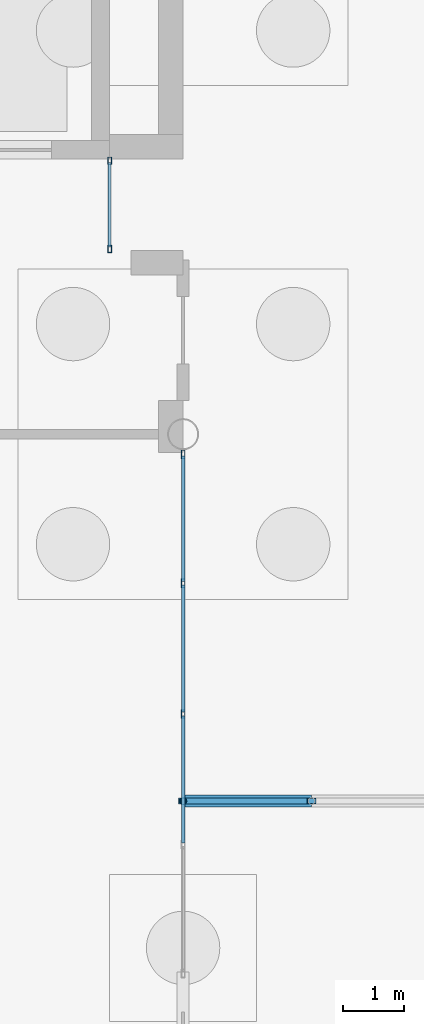
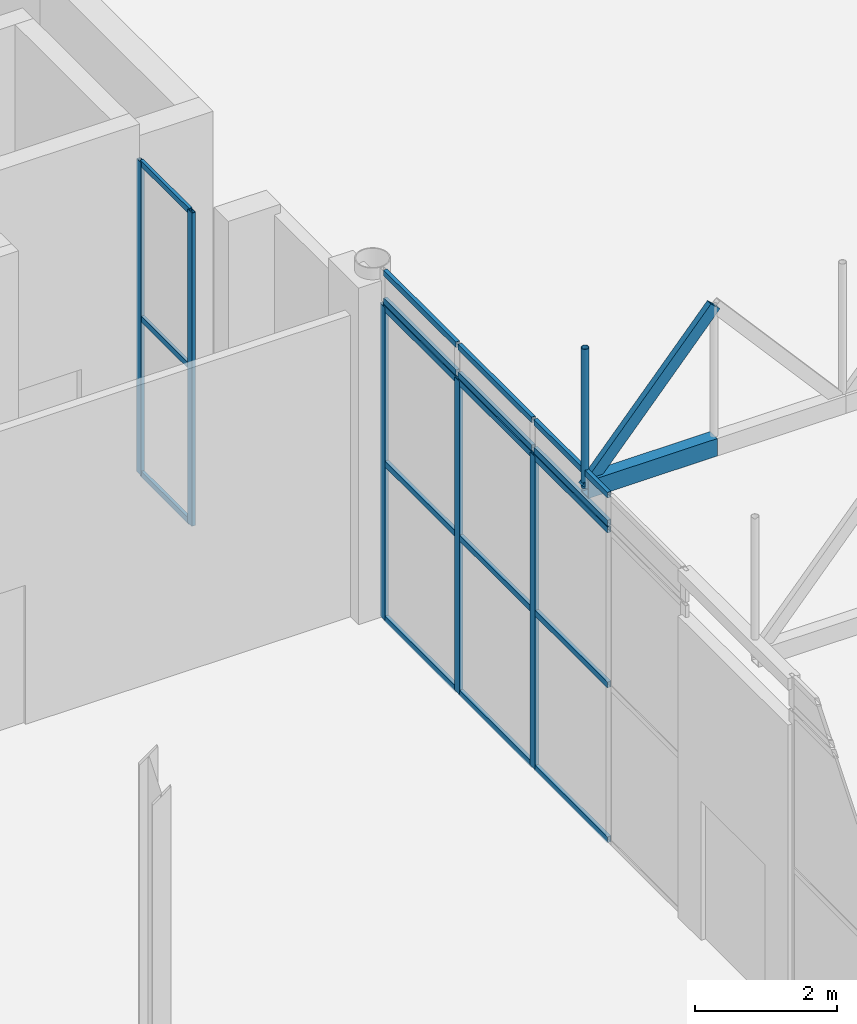
# One storey, part 122 of 212: 26 members, 3 elements without a shape of their own.
"""IFC4 building model written with IfcOpenShell, lengths in metres."""

from ifc_helpers import new_model, si_unit, direction, frame, origin, origin_2d, place, context, subcontext, project, spatial, hollow_rectangle, hollow_circle, extrude, material, material_profile, profile_set, type_object, element, aggregate, save


model = new_model("IFC4")

# Units and contexts
model_context = context("Model", 3, precision=1e-05, world=origin(), true_north=direction((0.0, 1.0)))
body_context = subcontext(model_context, "Body", "Model", "MODEL_VIEW")
ifc_project = project(units=[si_unit("LENGTHUNIT", "METRE"), si_unit("AREAUNIT", "SQUARE_METRE"), si_unit("VOLUMEUNIT", "CUBIC_METRE"), si_unit("PLANEANGLEUNIT", "RADIAN"), si_unit("MASSUNIT", "GRAM", prefix="KILO")], contexts=[model_context])

# Site, building, storey
site_placement = place(None, origin())
site = spatial("IfcSite", under=ifc_project, at=site_placement, CompositionType="ELEMENT")
building_placement = place(site_placement, origin())
building = spatial("IfcBuilding", under=site, at=building_placement, Name="Catenary Quay Ferry Terminal", CompositionType="ELEMENT")
storey_placement = place(building_placement, origin())
storey = spatial("IfcBuildingStorey", under=building, at=storey_placement, Name="L00", CompositionType="ELEMENT", Elevation=0.0)

# Members
ifc_material_1 = material(Name="Steel S355", Category="steel")
ifc_material_profile_1 = material_profile(ifc_material_1, hollow_rectangle(XDim=0.10009765625, YDim=0.199951171875, WallThickness=0.008056640625, at=origin_2d()), Name="RHS 200x100x8")
ifc_profile_set_1 = profile_set([ifc_material_profile_1], Name="Steel S355")
member_type_1 = type_object("IfcMemberType", Name="BR3 RHS 200x100x8", PredefinedType="BRACE", material=ifc_profile_set_1)
member_1_placement = place(storey_placement, frame((92.39990234375, 94.800048828125, 5.699951171875), z_axis=(0.65849918825, 0.0, 0.752581436839), x_axis=(0.0, 1.0, 0.0)))
element("IfcMember", 1, at=member_1_placement, inside=storey, type_object=member_type_1, Name="Bridge diagonal BB2N-D01", PredefinedType="BRACE", context=body_context, shape_type="SweptSolid", body=[
    extrude(hollow_rectangle(XDim=0.10009765625, YDim=0.199951171875, WallThickness=0.008056640625, at=origin_2d()), origin(), (0.0, 0.0, 1.0), 3.189208984375),
])
ifc_material_2 = material(Name="Steel S355", Category="steel")
ifc_material_profile_2 = material_profile(ifc_material_2, hollow_circle(Radius=0.05712890625, WallThickness=0.00634765625, at=origin_2d()), Name="CHS 114.3x6.3")
ifc_profile_set_2 = profile_set([ifc_material_profile_2], Name="Steel S355")
member_type_2 = type_object("IfcMemberType", Name="HG1 CHS 114.3x6.3", PredefinedType="POST", material=ifc_profile_set_2)
member_2_placement = place(storey_placement, frame((92.39990234375, 94.800048828125, 5.699951171875), z_axis=(0.0, 0.0, 1.0), x_axis=(1.0, 0.0, 0.0)))
element("IfcMember", 2, at=member_2_placement, inside=storey, type_object=member_type_2, Name="Bridge post BB2N-P01", PredefinedType="POST", context=body_context, shape_type="SweptSolid", body=[
    extrude(hollow_circle(Radius=0.05712890625, WallThickness=0.00634765625, at=origin_2d()), origin(), (0.0, 0.0, 1.0), 2.400146484375),
])

# Curtain wall, members
ifc_material_3 = material(Name="Aluminium and glass", Category="aluminium")
curtain_wall_type_1 = type_object("IfcCurtainWallType", Name="CWG", PredefinedType="NOTDEFINED", material=ifc_material_3)
curtain_wall_1_placement = place(storey_placement, origin())
curtain_wall_1 = element("IfcCurtainWall", 3, at=curtain_wall_1_placement, inside=storey, type_object=curtain_wall_type_1, Name="Gable arrivals hall curtain wall CW8", PredefinedType="NOTDEFINED")
ifc_material_4 = material(Name="Aluminium", Category="aluminium")
ifc_material_profile_3 = material_profile(ifc_material_4, hollow_rectangle(XDim=0.06005859375, YDim=0.139892578125, WallThickness=0.006103515625, at=origin_2d()), Name="MU2")
ifc_profile_set_3 = profile_set([ifc_material_profile_3], Name="Aluminium")
member_type_3 = type_object("IfcMemberType", Name="MU2", PredefinedType="MULLION", material=ifc_profile_set_3)
member_3_placement = place(storey_placement, frame((92.39990234375, 96.22509765625, 0.0), z_axis=(0.0, 0.0, 1.0), x_axis=(-1.0, 0.0, 0.0)))
member_3 = element("IfcMember", 4, at=member_3_placement, type_object=member_type_3, Name="CW8 mullion 3", PredefinedType="MULLION", context=body_context, shape_type="SweptSolid", body=[
    extrude(hollow_rectangle(XDim=0.06005859375, YDim=0.139892578125, WallThickness=0.006103515625, at=origin_2d()), origin(), (0.0, 0.0, 1.0), 5.39990234375),
])
member_4_placement = place(storey_placement, frame((92.39990234375, 98.362548828125, 0.0), z_axis=(0.0, 0.0, 1.0), x_axis=(-1.0, 0.0, 0.0)))
member_4 = element("IfcMember", 5, at=member_4_placement, type_object=member_type_3, Name="CW8 mullion 4", PredefinedType="MULLION", context=body_context, shape_type="SweptSolid", body=[
    extrude(hollow_rectangle(XDim=0.06005859375, YDim=0.139892578125, WallThickness=0.006103515625, at=origin_2d()), origin(), (0.0, 0.0, 1.0), 5.39990234375),
])
member_5_placement = place(storey_placement, frame((92.39990234375, 100.469970703125, 0.0), z_axis=(0.0, 0.0, 1.0), x_axis=(-1.0, 0.0, 0.0)))
member_5 = element("IfcMember", 6, at=member_5_placement, type_object=member_type_3, Name="CW8 mullion 5", PredefinedType="MULLION", context=body_context, shape_type="SweptSolid", body=[
    extrude(hollow_rectangle(XDim=0.06005859375, YDim=0.139892578125, WallThickness=0.006103515625, at=origin_2d()), origin(), (0.0, 0.0, 1.0), 5.39990234375),
])

ifc_material_5 = material(Name="Aluminium and glass", Category="aluminium")
curtain_wall_type_2 = type_object("IfcCurtainWallType", Name="CWT", PredefinedType="NOTDEFINED", material=ifc_material_5)
curtain_wall_2_placement = place(storey_placement, origin())
curtain_wall_2 = element("IfcCurtainWall", 7, at=curtain_wall_2_placement, inside=storey, type_object=curtain_wall_type_2, Name="Spine corridor curtain wall CW72", PredefinedType="NOTDEFINED")
ifc_material_6 = material(Name="Aluminium", Category="aluminium")
ifc_material_profile_4 = material_profile(ifc_material_6, hollow_rectangle(XDim=0.06005859375, YDim=0.1201171875, WallThickness=0.0048828125, at=origin_2d()), Name="MU4")
ifc_profile_set_4 = profile_set([ifc_material_profile_4], Name="Aluminium")
member_type_4 = type_object("IfcMemberType", Name="MU4", PredefinedType="MULLION", material=ifc_profile_set_4)
member_6_placement = place(storey_placement, frame((91.199951171875, 103.830078125, 0.0), z_axis=(0.0, 0.0, 1.0), x_axis=(-1.0, 0.0, 0.0)))
member_6 = element("IfcMember", 8, at=member_6_placement, type_object=member_type_4, Name="CW72 mullion 1", PredefinedType="MULLION", context=body_context, shape_type="SweptSolid", body=[
    extrude(hollow_rectangle(XDim=0.06005859375, YDim=0.1201171875, WallThickness=0.0048828125, at=origin_2d()), origin(), (0.0, 0.0, 1.0), 5.39990234375),
])
member_7_placement = place(storey_placement, frame((91.199951171875, 105.27001953125, 0.0), z_axis=(0.0, 0.0, 1.0), x_axis=(-1.0, 0.0, 0.0)))
member_7 = element("IfcMember", 9, at=member_7_placement, type_object=member_type_4, Name="CW72 mullion 2", PredefinedType="MULLION", context=body_context, shape_type="SweptSolid", body=[
    extrude(hollow_rectangle(XDim=0.06005859375, YDim=0.1201171875, WallThickness=0.0048828125, at=origin_2d()), origin(), (0.0, 0.0, 1.0), 5.39990234375),
])

# Member
ifc_material_7 = material(Name="Steel S355", Category="steel")
ifc_material_profile_5 = material_profile(ifc_material_7, hollow_rectangle(XDim=0.199951171875, YDim=0.300048828125, WallThickness=0.012451171875, at=origin_2d()), Name="RHS 300x200x12.5")
ifc_profile_set_5 = profile_set([ifc_material_profile_5], Name="Steel S355")
member_type_5 = type_object("IfcMemberType", Name="TC1 RHS 300x200x12.5", PredefinedType="CHORD", material=ifc_profile_set_5)
member_8_placement = place(storey_placement, frame((92.39990234375, 94.800048828125, 5.699951171875), z_axis=(1.0, 0.0, 0.0), x_axis=(0.0, 1.0, 0.0)))
element("IfcMember", 10, at=member_8_placement, inside=storey, type_object=member_type_5, Name="Bridge bottom chord BB2N-BC01", PredefinedType="CHORD", context=body_context, shape_type="SweptSolid", body=[
    extrude(hollow_rectangle(XDim=0.199951171875, YDim=0.300048828125, WallThickness=0.012451171875, at=origin_2d()), origin(), (0.0, 0.0, 1.0), 2.10009765625),
])

ifc_material_8 = material(Name="Aluminium", Category="aluminium")
ifc_material_profile_6 = material_profile(ifc_material_8, hollow_rectangle(XDim=0.06005859375, YDim=0.10009765625, WallThickness=0.0048828125, at=origin_2d()), Name="TR2")
ifc_profile_set_6 = profile_set([ifc_material_profile_6], Name="Aluminium")
member_type_6 = type_object("IfcMemberType", Name="TR2", PredefinedType="USERDEFINED", material=ifc_profile_set_6)
member_9_placement = place(storey_placement, frame((92.39990234375, 94.117431640625, 0.030029296875), z_axis=(0.0, 1.0, 0.0), x_axis=(-1.0, 0.0, 0.0)))
member_9 = element("IfcMember", 11, at=member_9_placement, type_object=member_type_6, Name="CW8 transom 2.1", ObjectType="TRANSOM", PredefinedType="USERDEFINED", context=body_context, shape_type="SweptSolid", body=[
    extrude(hollow_rectangle(XDim=0.06005859375, YDim=0.10009765625, WallThickness=0.0048828125, at=origin_2d()), origin(), (0.0, 0.0, 1.0), 2.07763671875),
])

member_10_placement = place(storey_placement, frame((92.39990234375, 94.117431640625, 2.699951171875), z_axis=(0.0, 1.0, 0.0), x_axis=(-1.0, 0.0, 0.0)))
member_10 = element("IfcMember", 12, at=member_10_placement, type_object=member_type_6, Name="CW8 transom 2.2", ObjectType="TRANSOM", PredefinedType="USERDEFINED", context=body_context, shape_type="SweptSolid", body=[
    extrude(hollow_rectangle(XDim=0.06005859375, YDim=0.10009765625, WallThickness=0.0048828125, at=origin_2d()), origin(), (0.0, 0.0, 1.0), 2.07763671875),
])

member_11_placement = place(storey_placement, frame((92.39990234375, 94.117431640625, 5.3701171875), z_axis=(0.0, 1.0, 0.0), x_axis=(-1.0, 0.0, 0.0)))
member_11 = element("IfcMember", 13, at=member_11_placement, type_object=member_type_6, Name="CW8 transom 2.3", ObjectType="TRANSOM", PredefinedType="USERDEFINED", context=body_context, shape_type="SweptSolid", body=[
    extrude(hollow_rectangle(XDim=0.06005859375, YDim=0.10009765625, WallThickness=0.0048828125, at=origin_2d()), origin(), (0.0, 0.0, 1.0), 2.07763671875),
])

member_12_placement = place(storey_placement, frame((92.39990234375, 96.2548828125, 0.030029296875), z_axis=(0.0, 1.0, 0.0), x_axis=(-1.0, 0.0, 0.0)))
member_12 = element("IfcMember", 14, at=member_12_placement, type_object=member_type_6, Name="CW8 transom 3.1", ObjectType="TRANSOM", PredefinedType="USERDEFINED", context=body_context, shape_type="SweptSolid", body=[
    extrude(hollow_rectangle(XDim=0.06005859375, YDim=0.10009765625, WallThickness=0.0048828125, at=origin_2d()), origin(), (0.0, 0.0, 1.0), 2.07763671875),
])

member_13_placement = place(storey_placement, frame((92.39990234375, 96.2548828125, 2.699951171875), z_axis=(0.0, 1.0, 0.0), x_axis=(-1.0, 0.0, 0.0)))
member_13 = element("IfcMember", 15, at=member_13_placement, type_object=member_type_6, Name="CW8 transom 3.2", ObjectType="TRANSOM", PredefinedType="USERDEFINED", context=body_context, shape_type="SweptSolid", body=[
    extrude(hollow_rectangle(XDim=0.06005859375, YDim=0.10009765625, WallThickness=0.0048828125, at=origin_2d()), origin(), (0.0, 0.0, 1.0), 2.07763671875),
])

member_14_placement = place(storey_placement, frame((92.39990234375, 96.2548828125, 5.3701171875), z_axis=(0.0, 1.0, 0.0), x_axis=(-1.0, 0.0, 0.0)))
member_14 = element("IfcMember", 16, at=member_14_placement, type_object=member_type_6, Name="CW8 transom 3.3", ObjectType="TRANSOM", PredefinedType="USERDEFINED", context=body_context, shape_type="SweptSolid", body=[
    extrude(hollow_rectangle(XDim=0.06005859375, YDim=0.10009765625, WallThickness=0.0048828125, at=origin_2d()), origin(), (0.0, 0.0, 1.0), 2.07763671875),
])

member_15_placement = place(storey_placement, frame((92.39990234375, 98.392578125, 0.030029296875), z_axis=(0.0, 1.0, 0.0), x_axis=(-1.0, 0.0, 0.0)))
member_15 = element("IfcMember", 17, at=member_15_placement, type_object=member_type_6, Name="CW8 transom 4.1", ObjectType="TRANSOM", PredefinedType="USERDEFINED", context=body_context, shape_type="SweptSolid", body=[
    extrude(hollow_rectangle(XDim=0.06005859375, YDim=0.10009765625, WallThickness=0.0048828125, at=origin_2d()), origin(), (0.0, 0.0, 1.0), 2.04736328125),
])

member_16_placement = place(storey_placement, frame((92.39990234375, 98.392578125, 2.699951171875), z_axis=(0.0, 1.0, 0.0), x_axis=(-1.0, 0.0, 0.0)))
member_16 = element("IfcMember", 18, at=member_16_placement, type_object=member_type_6, Name="CW8 transom 4.2", ObjectType="TRANSOM", PredefinedType="USERDEFINED", context=body_context, shape_type="SweptSolid", body=[
    extrude(hollow_rectangle(XDim=0.06005859375, YDim=0.10009765625, WallThickness=0.0048828125, at=origin_2d()), origin(), (0.0, 0.0, 1.0), 2.04736328125),
])

member_17_placement = place(storey_placement, frame((92.39990234375, 98.392578125, 5.3701171875), z_axis=(0.0, 1.0, 0.0), x_axis=(-1.0, 0.0, 0.0)))
member_17 = element("IfcMember", 19, at=member_17_placement, type_object=member_type_6, Name="CW8 transom 4.3", ObjectType="TRANSOM", PredefinedType="USERDEFINED", context=body_context, shape_type="SweptSolid", body=[
    extrude(hollow_rectangle(XDim=0.06005859375, YDim=0.10009765625, WallThickness=0.0048828125, at=origin_2d()), origin(), (0.0, 0.0, 1.0), 2.04736328125),
])

aggregate(curtain_wall_1, [member_3, member_4, member_5, member_9, member_10, member_11, member_12, member_13, member_14, member_15, member_16, member_17])

# Curtain wall, members
ifc_material_9 = material(Name="Aluminium and glass", Category="aluminium")
curtain_wall_type_3 = type_object("IfcCurtainWallType", Name="CWQ", PredefinedType="NOTDEFINED", material=ifc_material_9)
curtain_wall_3_placement = place(storey_placement, origin())
curtain_wall_3 = element("IfcCurtainWall", 20, at=curtain_wall_3_placement, inside=storey, type_object=curtain_wall_type_3, Name="Gable band arrivals hall curtain wall CW172", PredefinedType="NOTDEFINED")
member_18_placement = place(storey_placement, frame((92.39990234375, 94.117431640625, 5.489990234375), z_axis=(0.0, 1.0, 0.0), x_axis=(-1.0, 0.0, 0.0)))
member_18 = element("IfcMember", 21, at=member_18_placement, type_object=member_type_6, Name="CW172 transom 2.1", ObjectType="TRANSOM", PredefinedType="USERDEFINED", context=body_context, shape_type="SweptSolid", body=[
    extrude(hollow_rectangle(XDim=0.06005859375, YDim=0.10009765625, WallThickness=0.0048828125, at=origin_2d()), origin(), (0.0, 0.0, 1.0), 2.07763671875),
])
member_19_placement = place(storey_placement, frame((92.39990234375, 94.117431640625, 5.969970703125), z_axis=(0.0, 1.0, 0.0), x_axis=(-1.0, 0.0, 0.0)))
member_19 = element("IfcMember", 22, at=member_19_placement, type_object=member_type_6, Name="CW172 transom 2.2", ObjectType="TRANSOM", PredefinedType="USERDEFINED", context=body_context, shape_type="SweptSolid", body=[
    extrude(hollow_rectangle(XDim=0.06005859375, YDim=0.10009765625, WallThickness=0.0048828125, at=origin_2d()), origin(), (0.0, 0.0, 1.0), 2.07763671875),
])
member_20_placement = place(storey_placement, frame((92.39990234375, 96.2548828125, 5.489990234375), z_axis=(0.0, 1.0, 0.0), x_axis=(-1.0, 0.0, 0.0)))
member_20 = element("IfcMember", 23, at=member_20_placement, type_object=member_type_6, Name="CW172 transom 3.1", ObjectType="TRANSOM", PredefinedType="USERDEFINED", context=body_context, shape_type="SweptSolid", body=[
    extrude(hollow_rectangle(XDim=0.06005859375, YDim=0.10009765625, WallThickness=0.0048828125, at=origin_2d()), origin(), (0.0, 0.0, 1.0), 2.07763671875),
])
member_21_placement = place(storey_placement, frame((92.39990234375, 96.2548828125, 5.969970703125), z_axis=(0.0, 1.0, 0.0), x_axis=(-1.0, 0.0, 0.0)))
member_21 = element("IfcMember", 24, at=member_21_placement, type_object=member_type_6, Name="CW172 transom 3.2", ObjectType="TRANSOM", PredefinedType="USERDEFINED", context=body_context, shape_type="SweptSolid", body=[
    extrude(hollow_rectangle(XDim=0.06005859375, YDim=0.10009765625, WallThickness=0.0048828125, at=origin_2d()), origin(), (0.0, 0.0, 1.0), 2.07763671875),
])
member_22_placement = place(storey_placement, frame((92.39990234375, 98.392578125, 5.489990234375), z_axis=(0.0, 1.0, 0.0), x_axis=(-1.0, 0.0, 0.0)))
member_22 = element("IfcMember", 25, at=member_22_placement, type_object=member_type_6, Name="CW172 transom 4.1", ObjectType="TRANSOM", PredefinedType="USERDEFINED", context=body_context, shape_type="SweptSolid", body=[
    extrude(hollow_rectangle(XDim=0.06005859375, YDim=0.10009765625, WallThickness=0.0048828125, at=origin_2d()), origin(), (0.0, 0.0, 1.0), 2.04736328125),
])
member_23_placement = place(storey_placement, frame((92.39990234375, 98.392578125, 5.969970703125), z_axis=(0.0, 1.0, 0.0), x_axis=(-1.0, 0.0, 0.0)))
member_23 = element("IfcMember", 26, at=member_23_placement, type_object=member_type_6, Name="CW172 transom 4.2", ObjectType="TRANSOM", PredefinedType="USERDEFINED", context=body_context, shape_type="SweptSolid", body=[
    extrude(hollow_rectangle(XDim=0.06005859375, YDim=0.10009765625, WallThickness=0.0048828125, at=origin_2d()), origin(), (0.0, 0.0, 1.0), 2.04736328125),
])
aggregate(curtain_wall_3, [member_18, member_19, member_20, member_21, member_22, member_23])

# Member
ifc_material_10 = material(Name="Aluminium", Category="aluminium")
ifc_material_profile_7 = material_profile(ifc_material_10, hollow_rectangle(XDim=0.050048828125, YDim=0.10009765625, WallThickness=0.00390625, at=origin_2d()), Name="TR4")
ifc_profile_set_7 = profile_set([ifc_material_profile_7], Name="Aluminium")
member_type_7 = type_object("IfcMemberType", Name="TR4", PredefinedType="USERDEFINED", material=ifc_profile_set_7)
member_24_placement = place(storey_placement, frame((91.199951171875, 103.860107421875, 0.02490234375), z_axis=(0.0, 1.0, 0.0), x_axis=(-1.0, 0.0, 0.0)))
member_24 = element("IfcMember", 27, at=member_24_placement, type_object=member_type_7, Name="CW72 transom 1.1", ObjectType="TRANSOM", PredefinedType="USERDEFINED", context=body_context, shape_type="SweptSolid", body=[
    extrude(hollow_rectangle(XDim=0.050048828125, YDim=0.10009765625, WallThickness=0.00390625, at=origin_2d()), origin(), (0.0, 0.0, 1.0), 1.3798828125),
])

member_25_placement = place(storey_placement, frame((91.199951171875, 103.860107421875, 2.699951171875), z_axis=(0.0, 1.0, 0.0), x_axis=(-1.0, 0.0, 0.0)))
member_25 = element("IfcMember", 28, at=member_25_placement, type_object=member_type_7, Name="CW72 transom 1.2", ObjectType="TRANSOM", PredefinedType="USERDEFINED", context=body_context, shape_type="SweptSolid", body=[
    extrude(hollow_rectangle(XDim=0.050048828125, YDim=0.10009765625, WallThickness=0.00390625, at=origin_2d()), origin(), (0.0, 0.0, 1.0), 1.3798828125),
])

member_26_placement = place(storey_placement, frame((91.199951171875, 103.860107421875, 5.375), z_axis=(0.0, 1.0, 0.0), x_axis=(-1.0, 0.0, 0.0)))
member_26 = element("IfcMember", 29, at=member_26_placement, type_object=member_type_7, Name="CW72 transom 1.3", ObjectType="TRANSOM", PredefinedType="USERDEFINED", context=body_context, shape_type="SweptSolid", body=[
    extrude(hollow_rectangle(XDim=0.050048828125, YDim=0.10009765625, WallThickness=0.00390625, at=origin_2d()), origin(), (0.0, 0.0, 1.0), 1.3798828125),
])

aggregate(curtain_wall_2, [member_6, member_7, member_24, member_25, member_26])

save(model, "model.ifc")
